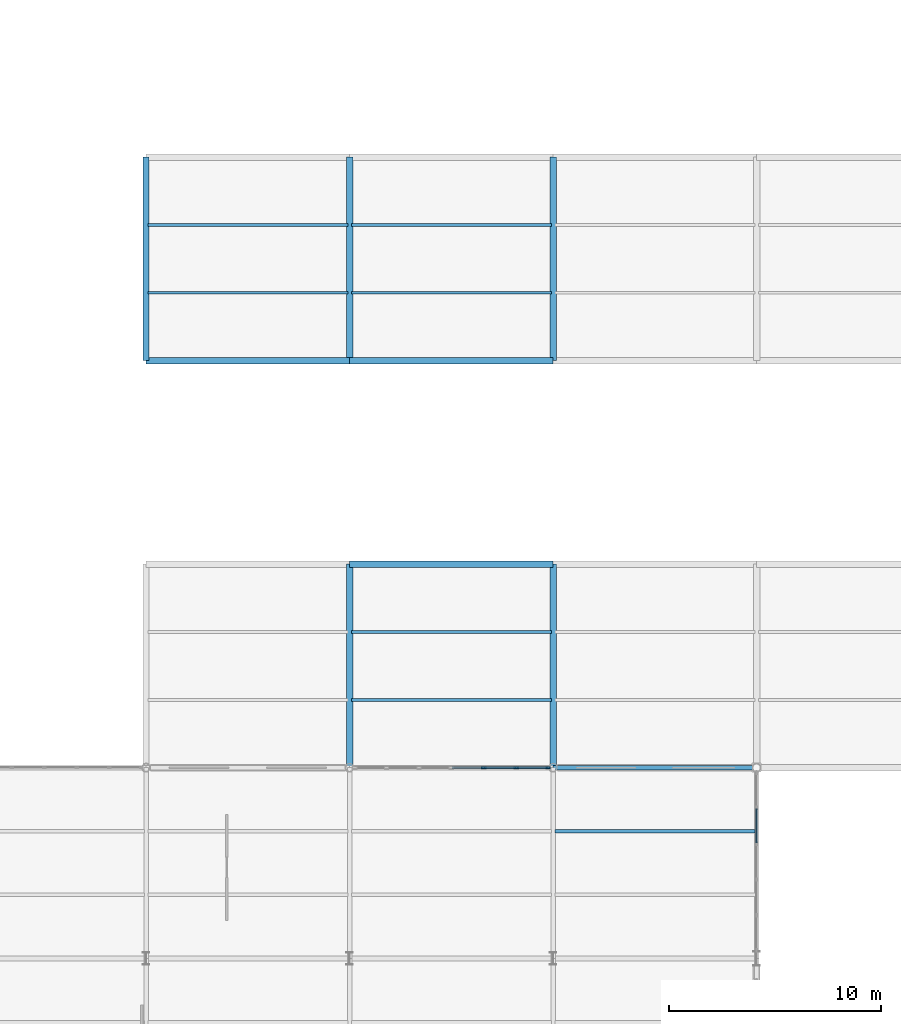
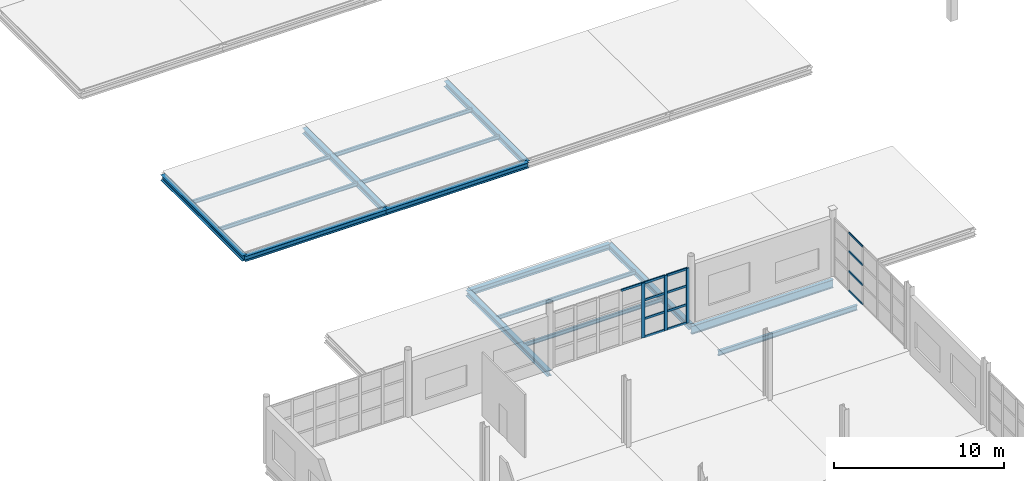
# One storey, part 38 of 120: 16 beams, 16 members, 2 elements without a shape of their own.
"""IFC4 building model written with IfcOpenShell, lengths in metres."""

from ifc_helpers import new_model, si_unit, direction, frame, origin, origin_2d, place, context, subcontext, project, spatial, rectangle, i_section, extrude, material, layer, layer_set, material_profile, profile_set, type_object, element, aggregate, save


model = new_model("IFC4")

# Units and contexts
model_context = context("Model", 3, precision=1e-05, world=origin(), true_north=direction((0.0, 1.0)))
body_context = subcontext(model_context, "Body", "Model", "MODEL_VIEW")
ifc_project = project(units=[si_unit("LENGTHUNIT", "METRE"), si_unit("AREAUNIT", "SQUARE_METRE"), si_unit("VOLUMEUNIT", "CUBIC_METRE"), si_unit("PLANEANGLEUNIT", "RADIAN"), si_unit("MASSUNIT", "GRAM", prefix="KILO")], contexts=[model_context])

# Site, building, storey
site_placement = place(None, origin())
site = spatial("IfcSite", under=ifc_project, at=site_placement, CompositionType="ELEMENT")
building_placement = place(site_placement, origin())
building = spatial("IfcBuilding", under=site, at=building_placement, Name="Zarnetskaya Central Station", CompositionType="ELEMENT")
storey_placement = place(building_placement, frame((0.0, 0.0, 5.39990234375)))
storey = spatial("IfcBuildingStorey", under=building, at=storey_placement, Name="L01", CompositionType="ELEMENT", Elevation=5.39990234375)

# Beams
ifc_material_1 = material(Name="Steel S355", Category="steel")
ifc_material_profile_1 = material_profile(ifc_material_1, i_section(OverallWidth=0.135009765625, OverallDepth=0.27001953125, WebThickness=0.006591796875, FlangeThickness=0.01025390625, FilletRadius=0.014892578125, at=origin_2d()), Name="IPE 270")
ifc_profile_set_1 = profile_set([ifc_material_profile_1], Name="Steel S355")
beam_type_1 = type_object("IfcBeamType", Name="BM-JST-270", PredefinedType="JOIST", material=ifc_profile_set_1)
for number, where, z_axis, x_axis, name in (
    (1, (9.679931640625, 89.60009765625, -0.294921875), (1.0, 0.0, 0.0), (0.0, 1.0, 0.0), "Secondary floor beam SEC-L01-Z524-BC-1112-1"),
    (2, (9.679931640625, 92.800048828125, -0.294921875), (1.0, 0.0, 0.0), (0.0, 1.0, 0.0), "Secondary floor beam SEC-L01-Z524-BC-1112-2"),
):
    element("IfcBeam", number, at=place(storey_placement, frame(where, z_axis=z_axis, x_axis=x_axis)), inside=storey, type_object=beam_type_1, Name=name, PredefinedType="JOIST", context=body_context, shape_type="SweptSolid", body=[
        extrude(i_section(OverallWidth=0.135009765625, OverallDepth=0.27001953125, WebThickness=0.006591796875, FlangeThickness=0.01025390625, FilletRadius=0.014892578125, at=origin_2d()), origin(), (0.0, 0.0, 1.0), 9.440185546875),
    ])
for number, where, z_axis, x_axis, name in (
    (3, (19.280029296875, 70.39990234375, -0.294921875), (1.0, 0.0, 0.0), (0.0, 1.0, 0.0), "Secondary floor beam SEC-L01-Z524-CD-910-1"),
    (4, (19.280029296875, 73.60009765625, -0.294921875), (1.0, 0.0, 0.0), (0.0, 1.0, 0.0), "Secondary floor beam SEC-L01-Z524-CD-910-2"),
    (5, (19.280029296875, 89.60009765625, -0.294921875), (1.0, 0.0, 0.0), (0.0, 1.0, 0.0), "Secondary floor beam SEC-L01-Z524-CD-1112-1"),
    (6, (19.280029296875, 92.800048828125, -0.294921875), (1.0, 0.0, 0.0), (0.0, 1.0, 0.0), "Secondary floor beam SEC-L01-Z524-CD-1112-2"),
):
    element("IfcBeam", number, at=place(storey_placement, frame(where, z_axis=z_axis, x_axis=x_axis)), inside=storey, type_object=beam_type_1, Name=name, PredefinedType="JOIST", context=body_context, shape_type="SweptSolid", body=[
        extrude(i_section(OverallWidth=0.135009765625, OverallDepth=0.27001953125, WebThickness=0.006591796875, FlangeThickness=0.01025390625, FilletRadius=0.014892578125, at=origin_2d()), origin(), (0.0, 0.0, 1.0), 9.43994140625),
    ])
ifc_material_profile_2 = material_profile(ifc_material_1, i_section(OverallWidth=0.169921875, OverallDepth=0.360107421875, WebThickness=0.008056640625, FlangeThickness=0.0126953125, FilletRadius=0.01806640625, at=origin_2d()), Name="IPE 360")
ifc_profile_set_2 = profile_set([ifc_material_profile_2], Name="Steel S355")
beam_type_2 = type_object("IfcBeamType", Name="BM-SEC-360", PredefinedType="BEAM", material=ifc_profile_set_2)
beam_1_placement = place(storey_placement, frame((28.8798828125, 64.199951171875, -0.4599609375), z_axis=(1.0, 0.0, 0.0), x_axis=(0.0, 1.0, 0.0)))
element("IfcBeam", 7, at=beam_1_placement, inside=storey, type_object=beam_type_2, Name="Secondary floor beam SEC-L01-Z512-DE-89-2", PredefinedType="BEAM", context=body_context, shape_type="SweptSolid", body=[
    extrude(i_section(OverallWidth=0.169921875, OverallDepth=0.360107421875, WebThickness=0.008056640625, FlangeThickness=0.0126953125, FilletRadius=0.01806640625, at=origin_2d()), origin(), (0.0, 0.0, 1.0), 9.440185546875),
])

# Curtain wall, members
ifc_material_2 = material(Name="Low-E insulated glass", Category="glass")
ifc_layer_1 = layer(ifc_material_2, 0.176025390625, Name="Low-E insulated glass", Category="glass")
ifc_layer_set_1 = layer_set([ifc_layer_1], Name="Low-E insulated glass")
curtain_wall_type_1 = type_object("IfcCurtainWallType", Name="CW-SYS-05", PredefinedType="USERDEFINED", material=ifc_layer_set_1)
curtain_wall_1_placement = place(storey_placement, origin())
curtain_wall_1 = element("IfcCurtainWall", 8, at=curtain_wall_1_placement, inside=storey, type_object=curtain_wall_type_1, Name="Curtain wall CW-L01-006", ObjectType="CURTAIN WALL", PredefinedType="USERDEFINED")
ifc_material_3 = material(Name="Anodised aluminium", Category="aluminium")
ifc_material_profile_3 = material_profile(ifc_material_3, rectangle(XDim=0.080078125, YDim=0.219970703125, at=origin_2d()), Name="ALU MULL 80x220")
ifc_profile_set_3 = profile_set([ifc_material_profile_3], Name="Anodised aluminium")
member_type_1 = type_object("IfcMemberType", Name="CW-MULL-220", PredefinedType="MULLION", material=ifc_profile_set_3)
member_1_placement = place(storey_placement, frame((25.5322265625, 67.199951171875, 0.0), z_axis=(0.0, 0.0, 1.0), x_axis=(0.0, 1.0, 0.0)))
member_1 = element("IfcMember", 9, at=member_1_placement, type_object=member_type_1, Name="CW-14 mullion 5", PredefinedType="MULLION", context=body_context, shape_type="SweptSolid", body=[
    extrude(rectangle(XDim=0.080078125, YDim=0.219970703125, at=origin_2d()), origin(), (0.0, 0.0, 1.0), 3.940185546875),
])
member_2_placement = place(storey_placement, frame((27.064453125, 67.199951171875, 0.0), z_axis=(0.0, 0.0, 1.0), x_axis=(0.0, 1.0, 0.0)))
member_2 = element("IfcMember", 10, at=member_2_placement, type_object=member_type_1, Name="CW-14 mullion 6", PredefinedType="MULLION", context=body_context, shape_type="SweptSolid", body=[
    extrude(rectangle(XDim=0.080078125, YDim=0.219970703125, at=origin_2d()), origin(), (0.0, 0.0, 1.0), 3.940185546875),
])
member_3_placement = place(storey_placement, frame((28.556884765625, 67.199951171875, 0.0), z_axis=(0.0, 0.0, 1.0), x_axis=(0.0, 1.0, 0.0)))
member_3 = element("IfcMember", 11, at=member_3_placement, type_object=member_type_1, Name="CW-14 mullion 7", PredefinedType="MULLION", context=body_context, shape_type="SweptSolid", body=[
    extrude(rectangle(XDim=0.080078125, YDim=0.219970703125, at=origin_2d()), origin(), (0.0, 0.0, 1.0), 3.940185546875),
])

ifc_layer_2 = layer(ifc_material_2, 0.16796875, Name="Low-E insulated glass", Category="glass")
ifc_layer_set_2 = layer_set([ifc_layer_2], Name="Low-E insulated glass")
curtain_wall_type_2 = type_object("IfcCurtainWallType", Name="CW-SYS-03", PredefinedType="USERDEFINED", material=ifc_layer_set_2)
curtain_wall_2_placement = place(storey_placement, origin())
curtain_wall_2 = element("IfcCurtainWall", 12, at=curtain_wall_2_placement, inside=storey, type_object=curtain_wall_type_2, Name="Curtain wall CW-L01-007", ObjectType="CURTAIN WALL", PredefinedType="USERDEFINED")
ifc_material_profile_4 = material_profile(ifc_material_3, rectangle(XDim=0.070068359375, YDim=0.139892578125, at=origin_2d()), Name="ALU TRAN 70x140")
ifc_profile_set_4 = profile_set([ifc_material_profile_4], Name="Anodised aluminium")
member_type_2 = type_object("IfcMemberType", Name="CW-TRAN-140", PredefinedType="USERDEFINED", material=ifc_profile_set_4)
member_4_placement = place(storey_placement, frame((38.39990234375, 65.2724609375, 0.03515625), z_axis=(0.0, -1.0, 0.0), x_axis=(1.0, 0.0, 0.0)))
member_4 = element("IfcMember", 13, at=member_4_placement, type_object=member_type_2, Name="CW-12 transom 2.1", ObjectType="TRANSOM", PredefinedType="USERDEFINED", context=body_context, shape_type="SweptSolid", body=[
    extrude(rectangle(XDim=0.070068359375, YDim=0.139892578125, at=origin_2d()), origin(), (0.0, 0.0, 1.0), 1.619384765625),
])
member_5_placement = place(storey_placement, frame((38.39990234375, 65.2724609375, 1.427978515625), z_axis=(0.0, -1.0, 0.0), x_axis=(1.0, 0.0, 0.0)))
member_5 = element("IfcMember", 14, at=member_5_placement, type_object=member_type_2, Name="CW-12 transom 2.2", ObjectType="TRANSOM", PredefinedType="USERDEFINED", context=body_context, shape_type="SweptSolid", body=[
    extrude(rectangle(XDim=0.070068359375, YDim=0.139892578125, at=origin_2d()), origin(), (0.0, 0.0, 1.0), 1.619384765625),
])
member_6_placement = place(storey_placement, frame((38.39990234375, 65.2724609375, 2.856201171875), z_axis=(0.0, -1.0, 0.0), x_axis=(1.0, 0.0, 0.0)))
member_6 = element("IfcMember", 15, at=member_6_placement, type_object=member_type_2, Name="CW-12 transom 2.3", ObjectType="TRANSOM", PredefinedType="USERDEFINED", context=body_context, shape_type="SweptSolid", body=[
    extrude(rectangle(XDim=0.070068359375, YDim=0.139892578125, at=origin_2d()), origin(), (0.0, 0.0, 1.0), 1.619384765625),
])
member_7_placement = place(storey_placement, frame((38.39990234375, 65.2724609375, 4.1650390625), z_axis=(0.0, -1.0, 0.0), x_axis=(1.0, 0.0, 0.0)))
member_7 = element("IfcMember", 16, at=member_7_placement, type_object=member_type_2, Name="CW-12 transom 2.4", ObjectType="TRANSOM", PredefinedType="USERDEFINED", context=body_context, shape_type="SweptSolid", body=[
    extrude(rectangle(XDim=0.070068359375, YDim=0.139892578125, at=origin_2d()), origin(), (0.0, 0.0, 1.0), 1.619384765625),
])
aggregate(curtain_wall_2, [member_4, member_5, member_6, member_7])

# Member
ifc_material_profile_5 = material_profile(ifc_material_3, rectangle(XDim=0.080078125, YDim=0.159912109375, at=origin_2d()), Name="ALU TRAN 80x160")
ifc_profile_set_5 = profile_set([ifc_material_profile_5], Name="Anodised aluminium")
member_type_3 = type_object("IfcMemberType", Name="CW-TRAN-160", PredefinedType="USERDEFINED", material=ifc_profile_set_5)
member_8_placement = place(storey_placement, frame((24.0400390625, 67.199951171875, 3.900146484375), z_axis=(1.0, 0.0, 0.0), x_axis=(0.0, 1.0, 0.0)))
member_8 = element("IfcMember", 17, at=member_8_placement, type_object=member_type_3, Name="CW-14 transom 4.4", ObjectType="TRANSOM", PredefinedType="USERDEFINED", context=body_context, shape_type="SweptSolid", body=[
    extrude(rectangle(XDim=0.080078125, YDim=0.159912109375, at=origin_2d()), origin(), (0.0, 0.0, 1.0), 1.4521484375),
])

member_9_placement = place(storey_placement, frame((25.572265625, 67.199951171875, 0.0400390625), z_axis=(1.0, 0.0, 0.0), x_axis=(0.0, 1.0, 0.0)))
member_9 = element("IfcMember", 18, at=member_9_placement, type_object=member_type_3, Name="CW-14 transom 5.1", ObjectType="TRANSOM", PredefinedType="USERDEFINED", context=body_context, shape_type="SweptSolid", body=[
    extrude(rectangle(XDim=0.080078125, YDim=0.159912109375, at=origin_2d()), origin(), (0.0, 0.0, 1.0), 1.4521484375),
])

member_10_placement = place(storey_placement, frame((25.572265625, 67.199951171875, 1.340087890625), z_axis=(1.0, 0.0, 0.0), x_axis=(0.0, 1.0, 0.0)))
member_10 = element("IfcMember", 19, at=member_10_placement, type_object=member_type_3, Name="CW-14 transom 5.2", ObjectType="TRANSOM", PredefinedType="USERDEFINED", context=body_context, shape_type="SweptSolid", body=[
    extrude(rectangle(XDim=0.080078125, YDim=0.159912109375, at=origin_2d()), origin(), (0.0, 0.0, 1.0), 1.4521484375),
])

member_11_placement = place(storey_placement, frame((25.572265625, 67.199951171875, 2.67919921875), z_axis=(1.0, 0.0, 0.0), x_axis=(0.0, 1.0, 0.0)))
member_11 = element("IfcMember", 20, at=member_11_placement, type_object=member_type_3, Name="CW-14 transom 5.3", ObjectType="TRANSOM", PredefinedType="USERDEFINED", context=body_context, shape_type="SweptSolid", body=[
    extrude(rectangle(XDim=0.080078125, YDim=0.159912109375, at=origin_2d()), origin(), (0.0, 0.0, 1.0), 1.4521484375),
])

member_12_placement = place(storey_placement, frame((25.572265625, 67.199951171875, 3.900146484375), z_axis=(1.0, 0.0, 0.0), x_axis=(0.0, 1.0, 0.0)))
member_12 = element("IfcMember", 21, at=member_12_placement, type_object=member_type_3, Name="CW-14 transom 5.4", ObjectType="TRANSOM", PredefinedType="USERDEFINED", context=body_context, shape_type="SweptSolid", body=[
    extrude(rectangle(XDim=0.080078125, YDim=0.159912109375, at=origin_2d()), origin(), (0.0, 0.0, 1.0), 1.4521484375),
])

member_13_placement = place(storey_placement, frame((27.1044921875, 67.199951171875, 0.0400390625), z_axis=(1.0, 0.0, 0.0), x_axis=(0.0, 1.0, 0.0)))
member_13 = element("IfcMember", 22, at=member_13_placement, type_object=member_type_3, Name="CW-14 transom 6.1", ObjectType="TRANSOM", PredefinedType="USERDEFINED", context=body_context, shape_type="SweptSolid", body=[
    extrude(rectangle(XDim=0.080078125, YDim=0.159912109375, at=origin_2d()), origin(), (0.0, 0.0, 1.0), 1.412353515625),
])

member_14_placement = place(storey_placement, frame((27.1044921875, 67.199951171875, 1.340087890625), z_axis=(1.0, 0.0, 0.0), x_axis=(0.0, 1.0, 0.0)))
member_14 = element("IfcMember", 23, at=member_14_placement, type_object=member_type_3, Name="CW-14 transom 6.2", ObjectType="TRANSOM", PredefinedType="USERDEFINED", context=body_context, shape_type="SweptSolid", body=[
    extrude(rectangle(XDim=0.080078125, YDim=0.159912109375, at=origin_2d()), origin(), (0.0, 0.0, 1.0), 1.412353515625),
])

member_15_placement = place(storey_placement, frame((27.1044921875, 67.199951171875, 2.67919921875), z_axis=(1.0, 0.0, 0.0), x_axis=(0.0, 1.0, 0.0)))
member_15 = element("IfcMember", 24, at=member_15_placement, type_object=member_type_3, Name="CW-14 transom 6.3", ObjectType="TRANSOM", PredefinedType="USERDEFINED", context=body_context, shape_type="SweptSolid", body=[
    extrude(rectangle(XDim=0.080078125, YDim=0.159912109375, at=origin_2d()), origin(), (0.0, 0.0, 1.0), 1.412353515625),
])

member_16_placement = place(storey_placement, frame((27.1044921875, 67.199951171875, 3.900146484375), z_axis=(1.0, 0.0, 0.0), x_axis=(0.0, 1.0, 0.0)))
member_16 = element("IfcMember", 25, at=member_16_placement, type_object=member_type_3, Name="CW-14 transom 6.4", ObjectType="TRANSOM", PredefinedType="USERDEFINED", context=body_context, shape_type="SweptSolid", body=[
    extrude(rectangle(XDim=0.080078125, YDim=0.159912109375, at=origin_2d()), origin(), (0.0, 0.0, 1.0), 1.412353515625),
])

aggregate(curtain_wall_1, [member_1, member_2, member_3, member_8, member_9, member_10, member_11, member_12, member_13, member_14, member_15, member_16])

# Beams
ifc_material_profile_6 = material_profile(ifc_material_1, i_section(OverallWidth=0.219970703125, OverallDepth=0.60009765625, WebThickness=0.011962890625, FlangeThickness=0.01904296875, FilletRadius=0.02392578125, at=origin_2d()), Name="IPE 600")
ifc_profile_set_6 = profile_set([ifc_material_profile_6], Name="Steel S355")
beam_type_3 = type_object("IfcBeamType", Name="GD-FLR-600", PredefinedType="USERDEFINED", material=ifc_profile_set_6)
beam_2_placement = place(storey_placement, frame((28.800048828125, 67.199951171875, -0.579833984375), z_axis=(1.0, 0.0, 0.0), x_axis=(0.0, 1.0, 0.0)))
element("IfcBeam", 26, at=beam_2_placement, inside=storey, type_object=beam_type_3, Name="Grid girder GX-L01-9-DE", ObjectType="GIRDER", PredefinedType="USERDEFINED", context=body_context, shape_type="SweptSolid", body=[
    extrude(i_section(OverallWidth=0.219970703125, OverallDepth=0.60009765625, WebThickness=0.011962890625, FlangeThickness=0.01904296875, FilletRadius=0.02392578125, at=origin_2d()), origin(), (0.0, 0.0, 1.0), 9.599853515625),
])
ifc_material_profile_7 = material_profile(ifc_material_1, i_section(OverallWidth=0.300048828125, OverallDepth=0.389892578125, WebThickness=0.010986328125, FlangeThickness=0.01904296875, FilletRadius=0.027099609375, at=origin_2d()), Name="HEA 400")
ifc_profile_set_7 = profile_set([ifc_material_profile_7], Name="Steel S355")
beam_type_4 = type_object("IfcBeamType", Name="GD-ROOF-400", PredefinedType="USERDEFINED", material=ifc_profile_set_7)
beam_3_placement = place(storey_placement, frame((9.60009765625, 86.39990234375, -0.35498046875), z_axis=(0.0, 1.0, 0.0), x_axis=(-1.0, 0.0, 0.0)))
element("IfcBeam", 27, at=beam_3_placement, inside=storey, type_object=beam_type_4, Name="Grid girder GY-L01-B-1112", ObjectType="GIRDER", PredefinedType="USERDEFINED", context=body_context, shape_type="SweptSolid", body=[
    extrude(i_section(OverallWidth=0.300048828125, OverallDepth=0.389892578125, WebThickness=0.010986328125, FlangeThickness=0.01904296875, FilletRadius=0.027099609375, at=origin_2d()), origin(), (0.0, 0.0, 1.0), 9.60009765625),
])
beam_4_placement = place(storey_placement, frame((9.60009765625, 86.39990234375, -0.35498046875), z_axis=(1.0, 0.0, 0.0), x_axis=(0.0, 1.0, 0.0)))
element("IfcBeam", 28, at=beam_4_placement, inside=storey, type_object=beam_type_4, Name="Grid girder GX-L01-11-BC", ObjectType="GIRDER", PredefinedType="USERDEFINED", context=body_context, shape_type="SweptSolid", body=[
    extrude(i_section(OverallWidth=0.300048828125, OverallDepth=0.389892578125, WebThickness=0.010986328125, FlangeThickness=0.01904296875, FilletRadius=0.027099609375, at=origin_2d()), origin(), (0.0, 0.0, 1.0), 9.599853515625),
])
for number, where, z_axis, x_axis, name in (
    (29, (19.199951171875, 67.199951171875, -0.35498046875), (0.0, 1.0, 0.0), (-1.0, 0.0, 0.0), "Grid girder GY-L01-C-910"),
    (30, (19.199951171875, 76.800048828125, -0.35498046875), (1.0, 0.0, 0.0), (0.0, 1.0, 0.0), "Grid girder GX-L01-10-CD"),
    (31, (19.199951171875, 86.39990234375, -0.35498046875), (0.0, 1.0, 0.0), (-1.0, 0.0, 0.0), "Grid girder GY-L01-C-1112"),
    (32, (19.199951171875, 86.39990234375, -0.35498046875), (1.0, 0.0, 0.0), (0.0, 1.0, 0.0), "Grid girder GX-L01-11-CD"),
    (33, (28.800048828125, 67.199951171875, -0.35498046875), (0.0, 1.0, 0.0), (-1.0, 0.0, 0.0), "Grid girder GY-L01-D-910"),
    (34, (28.800048828125, 86.39990234375, -0.35498046875), (0.0, 1.0, 0.0), (-1.0, 0.0, 0.0), "Grid girder GY-L01-D-1112"),
):
    element("IfcBeam", number, at=place(storey_placement, frame(where, z_axis=z_axis, x_axis=x_axis)), inside=storey, type_object=beam_type_4, Name=name, ObjectType="GIRDER", PredefinedType="USERDEFINED", context=body_context, shape_type="SweptSolid", body=[
        extrude(i_section(OverallWidth=0.300048828125, OverallDepth=0.389892578125, WebThickness=0.010986328125, FlangeThickness=0.01904296875, FilletRadius=0.027099609375, at=origin_2d()), origin(), (0.0, 0.0, 1.0), 9.60009765625),
    ])

save(model, "model.ifc")
